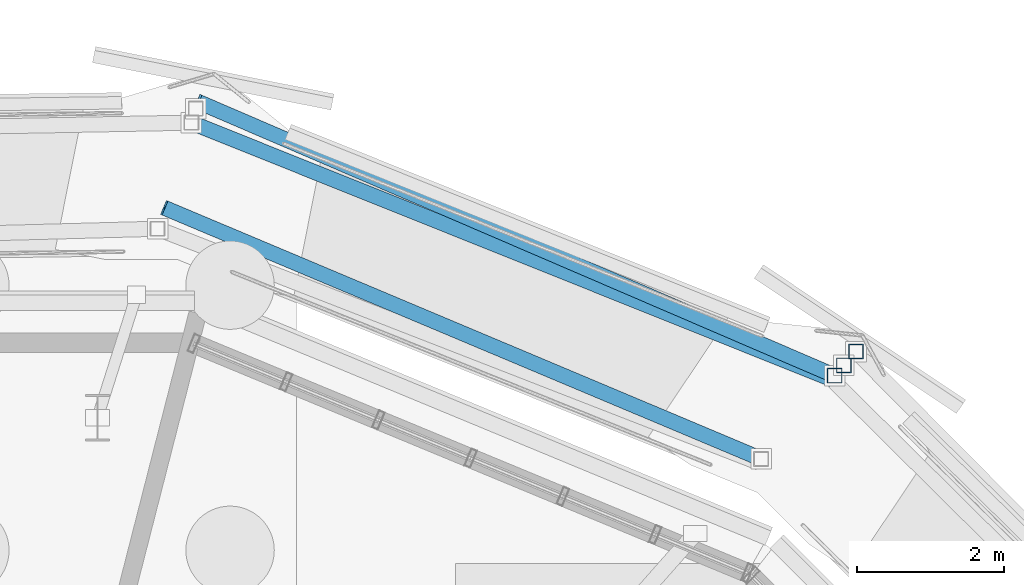
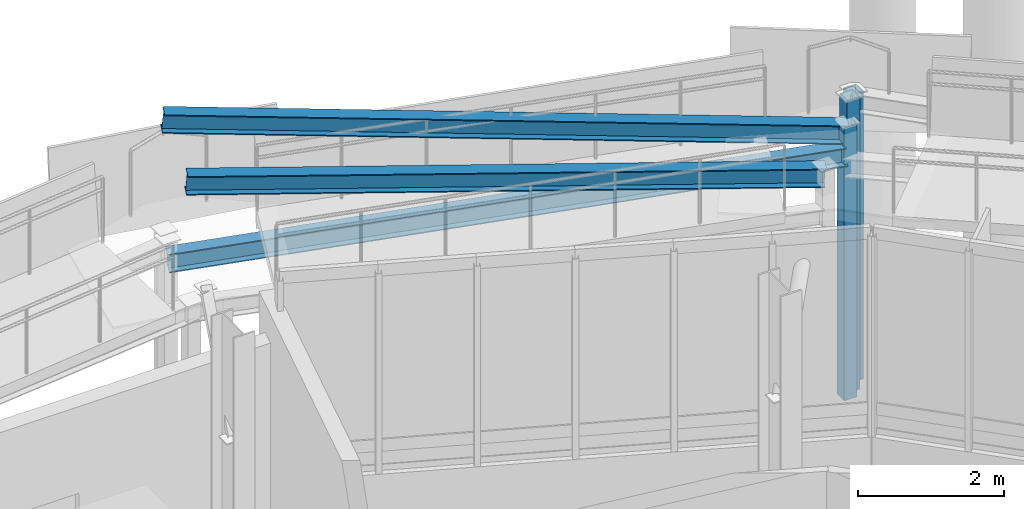
# One storey, part 55 of 119: 3 beams, 3 members.
"""IFC4 building model written with IfcOpenShell, lengths in metres."""

from ifc_helpers import new_model, si_unit, derived_unit, direction, frame, origin, origin_2d, place, context, subcontext, project, spatial, hollow_rectangle, i_section, extrude, material, material_profile, profile_set, type_object, element, save


model = new_model("IFC4")

# Units and contexts
model_context = context("Model", 3, precision=1e-05, world=origin(), true_north=direction((0.0, 1.0)))
body_context = subcontext(model_context, "Body", "Model", "MODEL_VIEW")
ifc_project = project(units=[si_unit("LENGTHUNIT", "METRE"), si_unit("AREAUNIT", "SQUARE_METRE"), si_unit("VOLUMEUNIT", "CUBIC_METRE"), si_unit("PLANEANGLEUNIT", "RADIAN"), si_unit("MASSUNIT", "GRAM", prefix="KILO"), derived_unit("THERMALTRANSMITTANCEUNIT", [(si_unit("MASSUNIT", "GRAM", prefix="KILO"), 1), (si_unit("TIMEUNIT", "SECOND"), -3), (si_unit("THERMODYNAMICTEMPERATUREUNIT", "KELVIN"), -1)])], contexts=[model_context])

# Site, building, storey
site_placement = place(None, origin())
site = spatial("IfcSite", under=ifc_project, at=site_placement, CompositionType="ELEMENT")
building_placement = place(site_placement, origin())
building = spatial("IfcBuilding", under=site, at=building_placement, Name="Makaiwela Harbour Ferry Terminal", CompositionType="ELEMENT")
storey_placement = place(building_placement, origin())
storey = spatial("IfcBuildingStorey", under=building, at=storey_placement, Name="L00", CompositionType="ELEMENT", Elevation=0.0)

# Beams
ifc_material_1 = material(Name="Steel ASTM A992 Grade 50", Category="steel")
ifc_material_profile_1 = material_profile(ifc_material_1, i_section(OverallWidth=0.205078125, OverallDepth=0.31005859375, WebThickness=0.009521484375, FlangeThickness=0.016357421875, at=origin_2d()), Name="W12X50")
ifc_profile_set_1 = profile_set([ifc_material_profile_1], Name="Steel ASTM A992 Grade 50")
beam_type = type_object("IfcBeamType", Name="STR-LNT-W12X50", PredefinedType="LINTEL", material=ifc_profile_set_1)
beam_1_placement = place(storey_placement, frame((42.139404296875, 91.034423828125, 3.283203125), z_axis=(0.924490525882, -0.370424709123, 0.09001556768), x_axis=(0.371934630405, 0.928258924388, 0.0)))
element("IfcBeam", 1, at=beam_1_placement, inside=storey, type_object=beam_type, Name="Coiled Ramp Stringer L00-F7-OUT", PredefinedType="LINTEL", context=body_context, shape_type="SweptSolid", body=[
    extrude(i_section(OverallWidth=0.205078125, OverallDepth=0.31005859375, WebThickness=0.009521484375, FlangeThickness=0.016357421875, at=origin_2d()), origin(), (0.0, 0.0, 1.0), 9.400390625),
])
beam_2_placement = place(storey_placement, frame((49.874755859375, 86.470703125, 4.77001953125), z_axis=(-0.919302974118, 0.386733801098, 0.072931535474), x_axis=(-0.387766442659, -0.921757661182, 0.0)))
element("IfcBeam", 2, at=beam_2_placement, inside=storey, type_object=beam_type, Name="Coiled Ramp Stringer L01-FI1-IN", PredefinedType="LINTEL", context=body_context, shape_type="SweptSolid", body=[
    extrude(i_section(OverallWidth=0.205078125, OverallDepth=0.31005859375, WebThickness=0.009521484375, FlangeThickness=0.016357421875, at=origin_2d()), origin(), (0.0, 0.0, 1.0), 8.81396484375),
])
beam_3_placement = place(storey_placement, frame((50.872314453125, 87.600341796875, 4.453369140625), z_axis=(-0.913896378253, 0.393145050829, 0.10114533516), x_axis=(-0.395171625022, -0.918607308254, 0.0)))
element("IfcBeam", 3, at=beam_3_placement, inside=storey, type_object=beam_type, Name="Coiled Ramp Stringer L01-FI1-OUT", PredefinedType="LINTEL", context=body_context, shape_type="SweptSolid", body=[
    extrude(i_section(OverallWidth=0.205078125, OverallDepth=0.31005859375, WebThickness=0.009521484375, FlangeThickness=0.016357421875, at=origin_2d()), origin(), (0.0, 0.0, 1.0), 9.45703125),
])

# Members
ifc_material_2 = material(Name="Steel ASTM A500 Grade C", Category="steel")
ifc_material_profile_2 = material_profile(ifc_material_2, hollow_rectangle(XDim=0.202880859375, YDim=0.202880859375, WallThickness=0.01171875, at=origin_2d()), Name="HSS8X8X1/2")
ifc_profile_set_2 = profile_set([ifc_material_profile_2], Name="Steel ASTM A500 Grade C")
member_type = type_object("IfcMemberType", Name="STR-PST-HSS8", PredefinedType="POST", material=ifc_profile_set_2)
member_1_placement = place(storey_placement, frame((50.872314453125, 87.600341796875, 0.050048828125), z_axis=(0.0, 0.0, 1.0), x_axis=(1.0, 0.0, 0.0)))
element("IfcMember", 4, at=member_1_placement, inside=storey, type_object=member_type, Name="Exterior Ramp Support Post RP-0101", PredefinedType="POST", context=body_context, shape_type="SweptSolid", body=[
    extrude(hollow_rectangle(XDim=0.202880859375, YDim=0.202880859375, WallThickness=0.01171875, at=origin_2d()), origin(), (0.0, 0.0, 1.0), 4.558349609375),
])
member_2_placement = place(storey_placement, frame((50.996826171875, 87.7412109375, 0.050048828125), z_axis=(0.0, 0.0, 1.0), x_axis=(1.0, 0.0, 0.0)))
element("IfcMember", 5, at=member_2_placement, inside=storey, type_object=member_type, Name="Exterior Ramp Support Post RP-0102", PredefinedType="POST", context=body_context, shape_type="SweptSolid", body=[
    extrude(hollow_rectangle(XDim=0.202880859375, YDim=0.202880859375, WallThickness=0.01171875, at=origin_2d()), origin(), (0.0, 0.0, 1.0), 4.875),
])
member_3_placement = place(storey_placement, frame((51.1611328125, 87.927001953125, 0.050048828125), z_axis=(0.0, 0.0, 1.0), x_axis=(1.0, 0.0, 0.0)))
element("IfcMember", 6, at=member_3_placement, inside=storey, type_object=member_type, Name="Exterior Ramp Support Post RP-0103", PredefinedType="POST", context=body_context, shape_type="SweptSolid", body=[
    extrude(hollow_rectangle(XDim=0.202880859375, YDim=0.202880859375, WallThickness=0.01171875, at=origin_2d()), origin(), (0.0, 0.0, 1.0), 4.800048828125),
])

save(model, "model.ifc")
